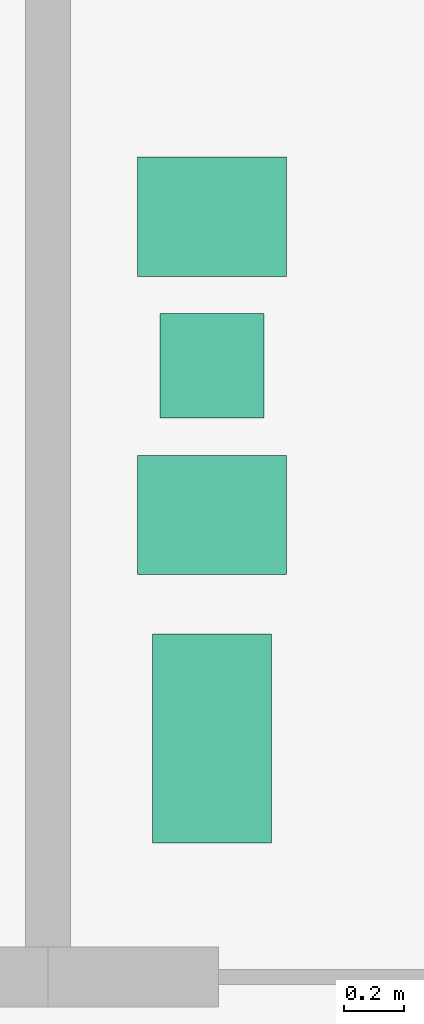
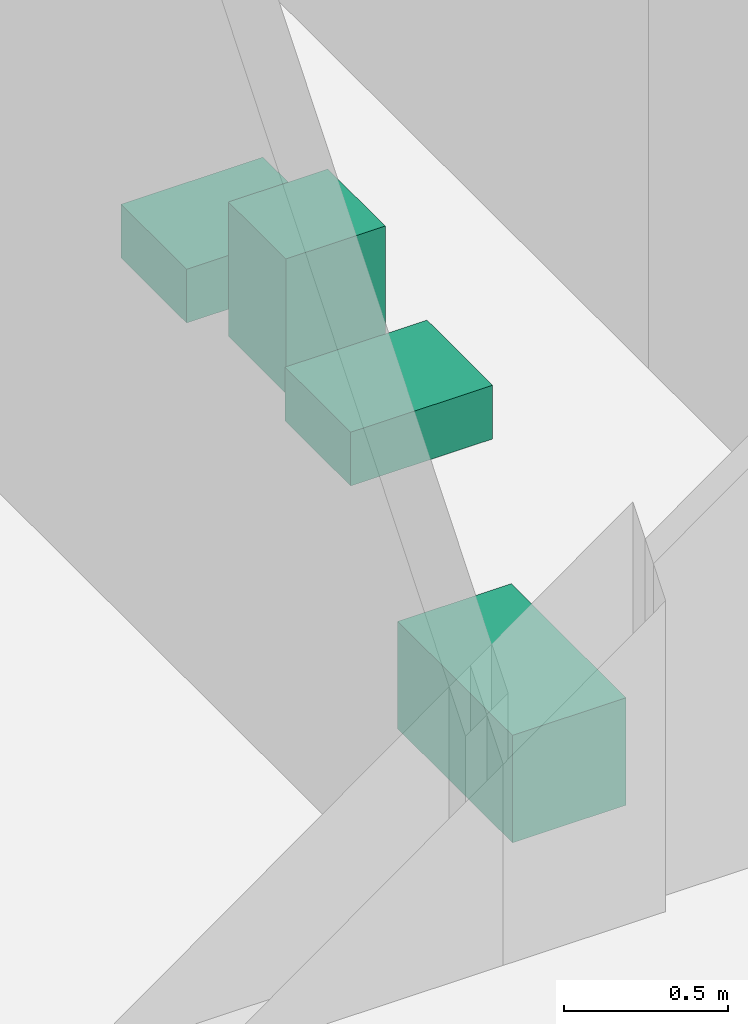
# One storey, part 11 of 11: 4 sanitary terminals.
"""IFC4 building model written with IfcOpenShell, lengths in metres."""

from ifc_helpers import new_model, si_unit, direction, frame, origin, origin_2d, place, context, subcontext, project, spatial, rectangle, extrude, material, type_object, element, save


model = new_model("IFC4")

# Units and contexts
model_context = context("Model", 3, precision=1e-05, world=origin(), true_north=direction((0.0, 1.0)))
body_context = subcontext(model_context, "Body", "Model", "MODEL_VIEW")
ifc_project = project(units=[si_unit("LENGTHUNIT", "METRE"), si_unit("AREAUNIT", "SQUARE_METRE"), si_unit("VOLUMEUNIT", "CUBIC_METRE"), si_unit("PLANEANGLEUNIT", "RADIAN"), si_unit("MASSUNIT", "GRAM", prefix="KILO")], contexts=[model_context])

# Site, building, storey
site_placement = place(None, origin())
site = spatial("IfcSite", under=ifc_project, at=site_placement, CompositionType="ELEMENT")
building_placement = place(site_placement, origin())
building = spatial("IfcBuilding", under=site, at=building_placement, Name="Ostrand Prow Hotel Tower", CompositionType="ELEMENT")
storey_placement = place(building_placement, frame((0.0, 0.0, 24.0)))
storey = spatial("IfcBuildingStorey", under=building, at=storey_placement, Name="L04", CompositionType="ELEMENT", Elevation=24.0)

# Sanitary terminals
ifc_material_1 = material(Name="Vitreous china")
sanitary_terminal_type_1 = type_object("IfcSanitaryTerminalType", Name="Urinal 350x350", PredefinedType="URINAL", material=ifc_material_1)
sanitary_terminal_1_placement = place(storey_placement, frame((73.1806640625, 6.188720703125, 0.800048828125), z_axis=(0.0, 0.0, 1.0), x_axis=(1.0, 0.0, 0.0)))
element("IfcSanitaryTerminal", 1, at=sanitary_terminal_1_placement, inside=storey, type_object=sanitary_terminal_type_1, Name="URINAL", PredefinedType="URINAL", context=body_context, shape_type="SweptSolid", body=[
    extrude(rectangle(XDim=0.35009765625, YDim=0.35009765625, at=origin_2d()), origin(), (0.0, 0.0, 1.0), 0.5),
])
ifc_material_2 = material(Name="Vitreous china")
sanitary_terminal_type_2 = type_object("IfcSanitaryTerminalType", Name="WC pan 360x700", PredefinedType="TOILETPAN", material=ifc_material_2)
sanitary_terminal_2_placement = place(storey_placement, frame((73.1806640625, 4.938720703125, 0.0), z_axis=(0.0, 0.0, 1.0), x_axis=(1.0, 0.0, 0.0)))
element("IfcSanitaryTerminal", 2, at=sanitary_terminal_2_placement, inside=storey, type_object=sanitary_terminal_type_2, Name="PAN", PredefinedType="TOILETPAN", context=body_context, shape_type="SweptSolid", body=[
    extrude(rectangle(XDim=0.39990234375, YDim=0.699951171875, at=origin_2d()), origin(), (0.0, 0.0, 1.0), 0.39990234375),
])
ifc_material_3 = material(Name="Vitreous china")
sanitary_terminal_type_3 = type_object("IfcSanitaryTerminalType", Name="Wash hand basin 500x400", PredefinedType="WASHHANDBASIN", material=ifc_material_3)
for number, where, z_axis, x_axis, name in (
    (3, (73.1806640625, 5.688720703125, 0.7998046875), (0.0, 0.0, 1.0), (1.0, 0.0, 0.0), "WASH HAND BASIN"),
    (4, (73.1806640625, 6.688720703125, 0.7998046875), (0.0, 0.0, 1.0), (1.0, 0.0, 0.0), "WASH HAND BASIN"),
):
    element("IfcSanitaryTerminal", number, at=place(storey_placement, frame(where, z_axis=z_axis, x_axis=x_axis)), inside=storey, type_object=sanitary_terminal_type_3, Name=name, PredefinedType="WASHHANDBASIN", context=body_context, shape_type="SweptSolid", body=[
        extrude(rectangle(XDim=0.5, YDim=0.39990234375, at=origin_2d()), origin(), (0.0, 0.0, 1.0), 0.199951171875),
    ])

save(model, "model.ifc")
